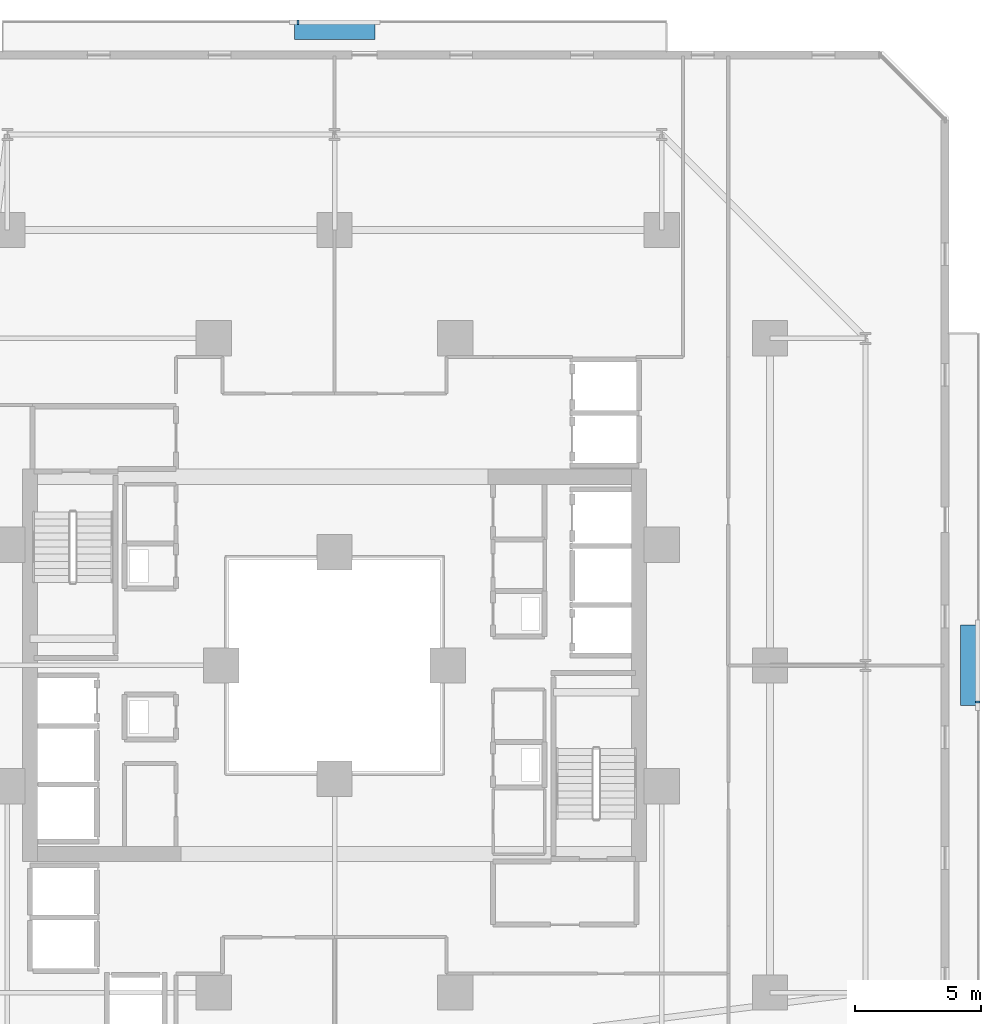
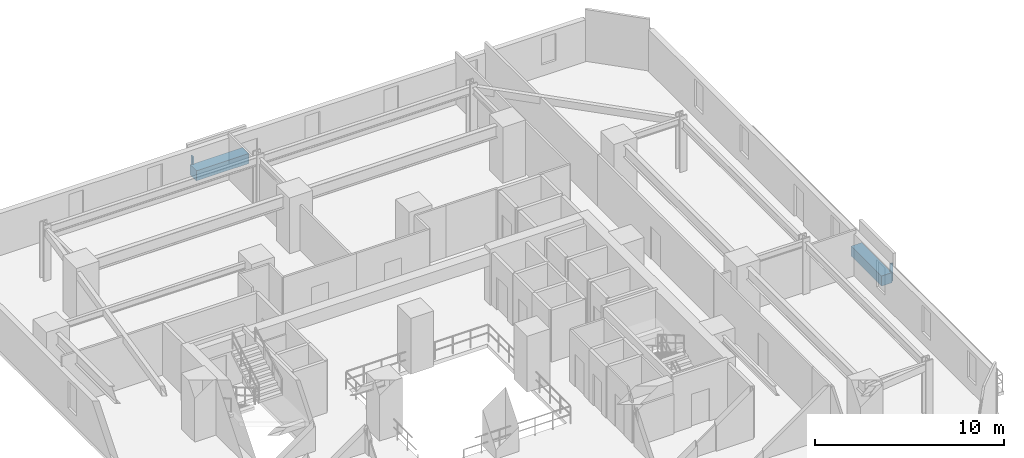
# One storey, part 30 of 34: 4 discrete accessories.
"""IFC4 building model written with IfcOpenShell, lengths in metres."""

from ifc_helpers import new_model, si_unit, direction, frame, origin, origin_2d, place, context, subcontext, project, spatial, rectangle, extrude, material, type_object, element, save


model = new_model("IFC4")

# Units and contexts
model_context = context("Model", 3, precision=1e-05, world=origin(), true_north=direction((0.0, 1.0)))
body_context = subcontext(model_context, "Body", "Model", "MODEL_VIEW")
ifc_project = project(units=[si_unit("LENGTHUNIT", "METRE"), si_unit("AREAUNIT", "SQUARE_METRE"), si_unit("VOLUMEUNIT", "CUBIC_METRE"), si_unit("PLANEANGLEUNIT", "RADIAN"), si_unit("MASSUNIT", "GRAM", prefix="KILO")], contexts=[model_context])

# Site, building, storey
site_placement = place(None, origin())
site = spatial("IfcSite", under=ifc_project, at=site_placement, CompositionType="ELEMENT")
building_placement = place(site_placement, origin())
building = spatial("IfcBuilding", under=site, at=building_placement, Name="Thornwick Lancets Civic Towers", CompositionType="ELEMENT")
storey_placement = place(building_placement, frame((0.0, 0.0, 57.300048828125)))
storey = spatial("IfcBuildingStorey", under=building, at=storey_placement, Name="L14", CompositionType="ELEMENT", Elevation=57.300048828125)

# Discrete accessories
ifc_material_1 = material(Name="Planted terracotta greenery planter", Category="masonry")
discrete_accessory_type_1 = type_object("IfcDiscreteAccessoryType", Name="ACC_PLANTER_BOX", PredefinedType="USERDEFINED", material=ifc_material_1)
discrete_accessory_1_placement = place(storey_placement, frame((113.699951171875, 27.0, 0.0), z_axis=(0.0, 0.0, 1.0), x_axis=(1.0, 0.0, 0.0)))
element("IfcDiscreteAccessory", 1, at=discrete_accessory_1_placement, inside=storey, type_object=discrete_accessory_type_1, Name="L14 Tower B Balcony Greenery Planter E", ObjectType="PLANTER", PredefinedType="USERDEFINED", context=body_context, shape_type="SweptSolid", body=[
    extrude(rectangle(XDim=0.64990234375, YDim=3.199951171875, at=origin_2d()), origin(), (0.0, 0.0, 1.0), 0.64990234375),
])
discrete_accessory_2_placement = place(storey_placement, frame((88.5, 52.199951171875, 0.0), z_axis=(0.0, 0.0, 1.0), x_axis=(1.0, 0.0, 0.0)))
element("IfcDiscreteAccessory", 2, at=discrete_accessory_2_placement, inside=storey, type_object=discrete_accessory_type_1, Name="L14 Tower B Balcony Greenery Planter N", ObjectType="PLANTER", PredefinedType="USERDEFINED", context=body_context, shape_type="SweptSolid", body=[
    extrude(rectangle(XDim=3.199951171875, YDim=0.64990234375, at=origin_2d()), origin(), (0.0, 0.0, 1.0), 0.64990234375),
])
ifc_material_2 = material(Name="Stainless steel S355", Category="steel")
discrete_accessory_type_2 = type_object("IfcDiscreteAccessoryType", Name="ACC_SCREEN_BRACKET", PredefinedType="BRACKET", material=ifc_material_2)
for number, where, z_axis, x_axis, name in (
    (3, (114.06005859375, 25.550048828125, 0.0), (0.0, 0.0, 1.0), (0.0, 1.0, 0.0), "L14 Tower B Balcony Screen Stanchion Bracket E-1"),
    (4, (87.050048828125, 52.56005859375, 0.0), (0.0, 0.0, 1.0), (1.0, 0.0, 0.0), "L14 Tower B Balcony Screen Stanchion Bracket N-1"),
):
    element("IfcDiscreteAccessory", number, at=place(storey_placement, frame(where, z_axis=z_axis, x_axis=x_axis)), inside=storey, type_object=discrete_accessory_type_2, Name=name, PredefinedType="BRACKET", context=body_context, shape_type="SweptSolid", body=[
        extrude(rectangle(XDim=0.080078125, YDim=0.179931640625, at=origin_2d()), origin(), (0.0, 0.0, 1.0), 1.14990234375),
    ])

save(model, "model.ifc")
